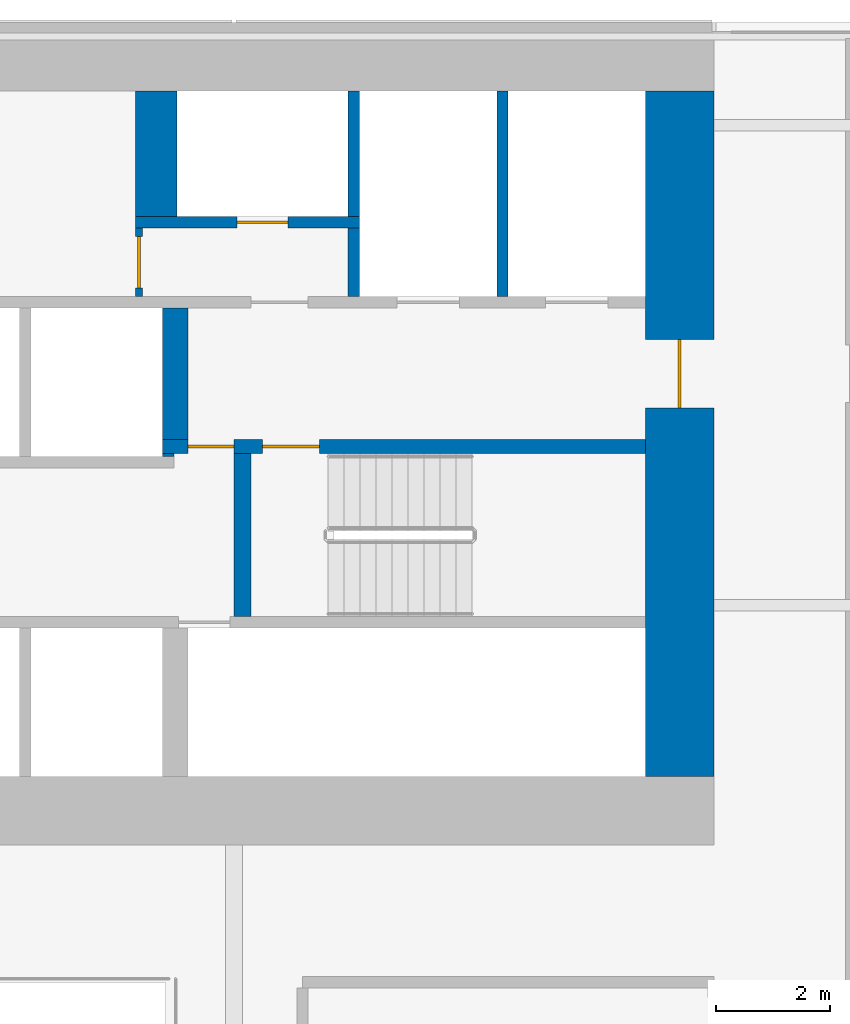
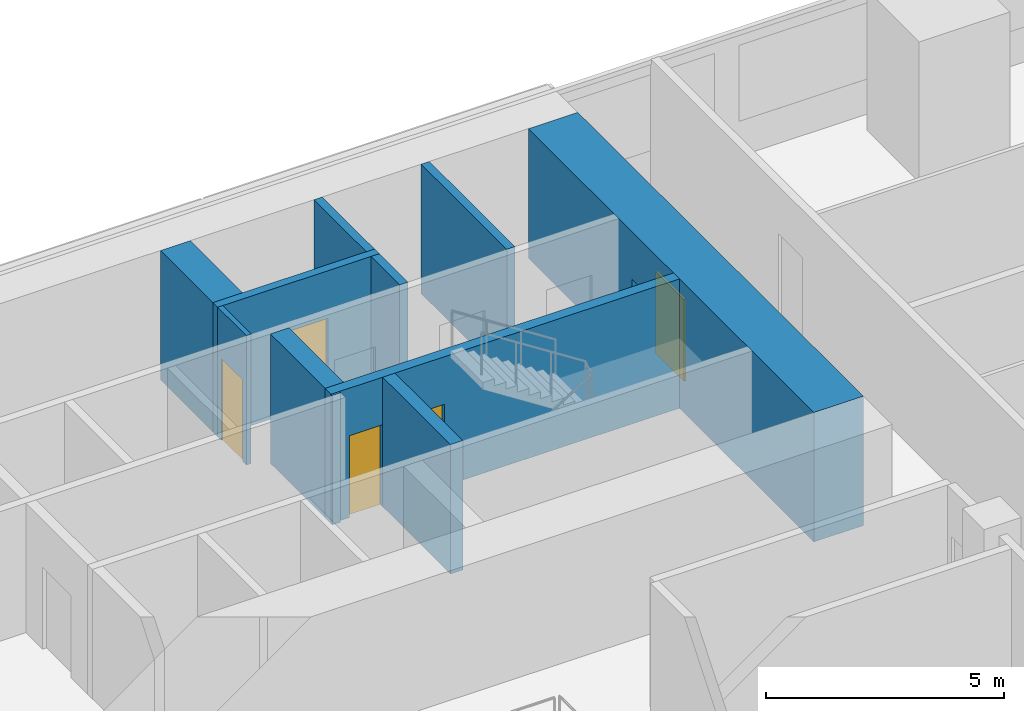
# One storey, part 20 of 25: 11 walls, 5 doors, 5 openings.
"""IFC4 building model written with IfcOpenShell, lengths in metres."""

import ifcopenshell
import ifcopenshell.guid

model = None  # the IFC model being written
_history = None  # IfcOwnerHistory: only IFC2X3 demands one
_inside = {}  # id of a spatial element -> (the spatial element, [elements in it])
_under = {}  # id of a project, library or spatial element -> (it, [spatial elements below it])
_declared = {}  # id of a project -> (the project, [libraries it declares])
_typed = {}  # id of a type object -> (the type object, [elements of that type])
_made_of = {}  # id of a material, layer set ... -> (it, [elements and type objects made of it])


def new_model(schema):
    """Start an empty IFC model of exactly this schema.

    Asked for "IFC4X3", IfcOpenShell would pick the latest addendum, in which some entities
    have other attributes; the version numbers below select the first issue.
    IFC2X3 requires an IfcOwnerHistory on every rooted entity: one is made here for all.
    """
    global model, _history
    if schema == "IFC4X3":
        model = ifcopenshell.file(schema_version=(4, 3, 0, 0))
    else:
        model = ifcopenshell.file(schema=schema)
    _inside.clear()
    _under.clear()
    _declared.clear()
    _typed.clear()
    _made_of.clear()
    _history = None
    if model.schema == "IFC2X3":
        org = make("IfcOrganization", Name="unknown")
        user = make(
            "IfcPersonAndOrganization",
            ThePerson=make("IfcPerson", FamilyName="unknown"),
            TheOrganization=org,
        )
        app = make(
            "IfcApplication",
            ApplicationDeveloper=org,
            Version="unknown",
            ApplicationFullName="unknown",
            ApplicationIdentifier="unknown",
        )
        _history = make(
            "IfcOwnerHistory",
            OwningUser=user,
            OwningApplication=app,
            ChangeAction="ADDED",
            CreationDate=0,
        )
    return model


def make(cls, **values):
    """One entity of the class cls with the attributes given. An attribute that is None is left unset."""
    return model.create_entity(
        cls, **{name: value for name, value in values.items() if value is not None}
    )


def rooted(cls, **values):
    """An entity with a GlobalId (a new one), such as an element, a storey or a relation."""
    return make(cls, GlobalId=ifcopenshell.guid.new(), OwnerHistory=_history, **values)


def si_unit(unit_type, name, prefix=None):
    """IfcSIUnit, for example si_unit("LENGTHUNIT", "METRE", prefix="MILLI")."""
    return make("IfcSIUnit", UnitType=unit_type, Prefix=prefix, Name=name)


def assignment(units):
    """IfcUnitAssignment: the units of a project."""
    return None if units is None else make("IfcUnitAssignment", Units=units)


def point(xyz):
    """IfcCartesianPoint."""
    return None if xyz is None else make("IfcCartesianPoint", Coordinates=xyz)


def direction(xyz):
    """IfcDirection."""
    return None if xyz is None else make("IfcDirection", DirectionRatios=xyz)


def frame(location, z_axis=None, x_axis=None):
    """IfcAxis2Placement3D, a coordinate frame: its origin and axes. An axis left out is left unset."""
    return make(
        "IfcAxis2Placement3D",
        Location=point(location),
        Axis=direction(z_axis),
        RefDirection=direction(x_axis),
    )


def frame_2d(location, x_axis=None):
    """IfcAxis2Placement2D, a coordinate frame in the plane: its origin and x axis."""
    return make(
        "IfcAxis2Placement2D", Location=point(location), RefDirection=direction(x_axis)
    )


def origin():
    """The frame at (0, 0, 0) with its axes left unset."""
    return frame((0.0, 0.0, 0.0))


def place(relative_to, where):
    """IfcLocalPlacement: puts the frame where relative to a parent placement (None: the world)."""
    return make(
        "IfcLocalPlacement", PlacementRelTo=relative_to, RelativePlacement=where
    )


def context(
    kind, dimensions, precision=None, world=None, true_north=None, identifier=None
):
    """IfcGeometricRepresentationContext, for example the 3D "Model" context."""
    return make(
        "IfcGeometricRepresentationContext",
        ContextIdentifier=identifier,
        ContextType=kind,
        CoordinateSpaceDimension=dimensions,
        Precision=precision,
        WorldCoordinateSystem=world,
        TrueNorth=true_north,
    )


def subcontext(parent, identifier, kind, view, scale=None):
    """IfcGeometricRepresentationSubContext, for example "Body" below "Model"."""
    return make(
        "IfcGeometricRepresentationSubContext",
        ContextIdentifier=identifier,
        ContextType=kind,
        ParentContext=parent,
        TargetScale=scale,
        TargetView=view,
    )


def project(units=None, contexts=None):
    """IfcProject with its units and contexts."""
    return rooted(
        "IfcProject",
        Name="project",
        RepresentationContexts=contexts,
        UnitsInContext=assignment(units),
    )


def spatial(cls, under=None, at=None, **own):
    """A site, building, storey or space (cls), placed at a placement, below another one or the project."""
    s = rooted(cls, ObjectPlacement=at, **own)
    if under is not None:
        _under.setdefault(under.id(), (under, []))[1].append(s)
    return s


def profile(cls, at=None, kind="AREA", **sizes):
    """A parametric profile (cls). Its sizes go by their IFC names, for example OverallWidth=200.0."""
    return make(cls, ProfileType=kind, Position=at, **sizes)


def rectangle(**sizes):
    """IfcRectangleProfileDef."""
    return profile("IfcRectangleProfileDef", **sizes)


def extrude(swept, where, along, depth):
    """IfcExtrudedAreaSolid: the profile swept, set in the frame where, extruded along a direction by depth."""
    return make(
        "IfcExtrudedAreaSolid",
        SweptArea=swept,
        Position=where,
        ExtrudedDirection=direction(along),
        Depth=depth,
    )


def shape(context_of_items, identifier, shape_type, items):
    """IfcShapeRepresentation: the items that make up one representation, for example the "Body"."""
    return make(
        "IfcShapeRepresentation",
        ContextOfItems=context_of_items,
        RepresentationIdentifier=identifier,
        RepresentationType=shape_type,
        Items=items,
    )


def material(Name=None, Category=None):
    """IfcMaterial."""
    return make("IfcMaterial", Name=Name, Category=Category)


def layer(
    of_material, thickness, ventilated=None, Name=None, Category=None, Priority=None
):
    """IfcMaterialLayer: one layer of a wall or slab, of a material (None: an air gap)."""
    return make(
        "IfcMaterialLayer",
        Material=of_material,
        LayerThickness=thickness,
        IsVentilated=ventilated,
        Name=Name,
        Category=Category,
        Priority=Priority,
    )


def layer_set(layers, Name=None):
    """IfcMaterialLayerSet."""
    return make("IfcMaterialLayerSet", MaterialLayers=layers, LayerSetName=Name)


def made_of(thing, what):
    """Note that an element or type object is made of a material, layer set ...; save() writes the relation."""
    if what is not None:
        _made_of.setdefault(what.id(), (what, []))[1].append(thing)
    return thing


def type_object(cls, material=None, **own):
    """A type object (cls), such as IfcWallType, which elements share."""
    return made_of(rooted(cls, **own), material)


def element(
    cls,
    number,
    at=None,
    inside=None,
    cuts=None,
    type_object=None,
    material=None,
    context=None,
    identifier="Body",
    shape_type=None,
    held_by="IfcProductDefinitionShape",
    body=None,
    shapes=None,
    **own,
):
    """One element of the class cls, such as IfcWall. Its Tag is "e" and its number.

    at: its placement. inside: the storey or other place that contains it. cuts: it is an
    opening in that element (IfcRelVoidsElement). A single representation is given by context,
    identifier, shape_type and body (its items); several are given by shapes. held_by: the class
    of the entity that holds the representations. save() writes the other relations.
    """
    e = rooted(cls, Tag="e%d" % number, ObjectPlacement=at, **own)
    if body is not None:
        shapes = [shape(context, identifier, shape_type, body)]
    if shapes is not None:
        e.Representation = make(held_by, Representations=shapes)
    if inside is not None:
        _inside.setdefault(inside.id(), (inside, []))[1].append(e)
    if cuts is not None:
        rooted(
            "IfcRelVoidsElement", RelatingBuildingElement=cuts, RelatedOpeningElement=e
        )
    if type_object is not None:
        _typed.setdefault(type_object.id(), (type_object, []))[1].append(e)
    return made_of(e, material)


def fill(opening, filler):
    """IfcRelFillsElement: the door or window that sits in an opening."""
    return rooted(
        "IfcRelFillsElement",
        RelatingOpeningElement=opening,
        RelatedBuildingElement=filler,
    )


def aggregate(whole, parts):
    """IfcRelAggregates: a whole, such as a stair, and the parts it consists of."""
    return rooted("IfcRelAggregates", RelatingObject=whole, RelatedObjects=parts)


def save(model, path):
    """Write the relations noted so far, then the file.

    IfcRelAggregates (storeys below a building ...), IfcRelContainedInSpatialStructure (elements
    in a storey), IfcRelDefinesByType, IfcRelAssociatesMaterial and IfcRelDeclares: one each for
    every whole, place, type object, material and project.
    """
    for whole, parts in _under.values():
        aggregate(whole, parts)
    for where, things in _inside.values():
        rooted(
            "IfcRelContainedInSpatialStructure",
            RelatedElements=things,
            RelatingStructure=where,
        )
    for kind, things in _typed.values():
        rooted("IfcRelDefinesByType", RelatedObjects=things, RelatingType=kind)
    for what, things in _made_of.values():
        rooted("IfcRelAssociatesMaterial", RelatedObjects=things, RelatingMaterial=what)
    for by, libraries in _declared.values():
        rooted("IfcRelDeclares", RelatingContext=by, RelatedDefinitions=libraries)
    model.write(path)


model = new_model("IFC4")

# Units and contexts
model_context = context("Model", 3, precision=1e-05, world=origin(), true_north=direction((0.0, 1.0)))
body_context = subcontext(model_context, "Body", "Model", "MODEL_VIEW")
ifc_project = project(units=[si_unit("LENGTHUNIT", "METRE"), si_unit("AREAUNIT", "SQUARE_METRE"), si_unit("VOLUMEUNIT", "CUBIC_METRE"), si_unit("PLANEANGLEUNIT", "RADIAN"), si_unit("MASSUNIT", "GRAM", prefix="KILO")], contexts=[model_context])

# Site, building, storey
site_placement = place(None, origin())
site = spatial("IfcSite", under=ifc_project, at=site_placement, CompositionType="ELEMENT")
building_placement = place(site_placement, origin())
building = spatial("IfcBuilding", under=site, at=building_placement, Name="Saffron Gate Tower", CompositionType="ELEMENT")
storey_placement = place(building_placement, frame((0.0, 0.0, 73.199951171875)))
storey = spatial("IfcBuildingStorey", under=building, at=storey_placement, Name="L17", CompositionType="ELEMENT", Elevation=73.199951171875)

# Wall, opening, door
ifc_material_1 = material(Name="Concrete C70", Category="concrete")
ifc_layer_1 = layer(ifc_material_1, 1.199951171875)
ifc_layer_set_1 = layer_set([ifc_layer_1], Name="CW1 RC core wall 1200 C70")
wall_type_1 = type_object("IfcWallType", Name="CW1 RC core wall 1200 C70", PredefinedType="SOLIDWALL", material=ifc_layer_set_1)
wall_1_placement = place(storey_placement, frame((108.0, 62.39990234375, 0.0), z_axis=(0.0, 0.0, 1.0), x_axis=(0.0, 1.0, 0.0)))
wall_1 = element("IfcWall", 1, at=wall_1_placement, inside=storey, type_object=wall_type_1, Name="Wall CW1-L17-4", PredefinedType="SOLIDWALL", context=body_context, shape_type="SweptSolid", body=[
    extrude(rectangle(XDim=12.0, YDim=1.199951171875, at=frame_2d((6.0, 0.0))), origin(), (0.0, 0.0, 1.0), 3.320068359375),
])
opening_1_placement = place(wall_1_placement, frame((6.449951171875, 0.0, 0.0)))
opening_1 = element("IfcOpeningElement", 2, at=opening_1_placement, cuts=wall_1, Name="Opening CR-08", PredefinedType="OPENING", context=body_context, shape_type="SweptSolid", body=[
    extrude(rectangle(XDim=1.199951171875, YDim=2.10009765625, at=frame_2d((0.60009765625, 1.050048828125))), frame((0.0, 0.60986328125, 0.0), z_axis=(0.0, -1.0, 0.0), x_axis=(1.0, 0.0, 0.0)), (0.0, 0.0, 1.0), 1.219970703125),
])
ifc_material_2 = material(Name="Steel fire door set", Category="steel")
door_type_1 = type_object("IfcDoorType", Name="CD7 Core entrance door 1200x2100 EI 120", OperationType="NOTDEFINED", PredefinedType="DOOR", material=ifc_material_2)
door_1_placement = place(opening_1_placement, origin())
door_1 = element("IfcDoor", 3, at=door_1_placement, inside=storey, type_object=door_type_1, Name="DOOR CR-08", OperationType="SINGLE_SWING_RIGHT", OverallHeight=2.10009765625, OverallWidth=1.199951171875, PredefinedType="DOOR", context=body_context, shape_type="SweptSolid", body=[
    extrude(rectangle(XDim=1.199951171875, YDim=2.10009765625, at=frame_2d((0.60009765625, 1.050048828125))), frame((0.0, 0.02490234375, 0.0), z_axis=(0.0, -1.0, 0.0), x_axis=(1.0, 0.0, 0.0)), (0.0, 0.0, 1.0), 0.050048828125),
])
fill(opening_1, door_1)

# Wall
ifc_layer_2 = layer(ifc_material_1, 0.719970703125)
ifc_layer_set_2 = layer_set([ifc_layer_2], Name="CW11 RC core wall 720 C70")
wall_type_2 = type_object("IfcWallType", Name="CW11 RC core wall 720 C70", PredefinedType="SOLIDWALL", material=ifc_layer_set_2)
wall_2_placement = place(storey_placement, frame((98.840087890625, 72.199951171875, 0.0), z_axis=(0.0, 0.0, 1.0), x_axis=(0.0, 1.0, 0.0)))
element("IfcWall", 4, at=wall_2_placement, inside=storey, type_object=wall_type_2, Name="Wall CW11-L17-48", PredefinedType="SOLIDWALL", context=body_context, shape_type="SweptSolid", body=[
    extrude(rectangle(XDim=2.199951171875, YDim=0.719970703125, at=frame_2d((1.10009765625, 0.0))), origin(), (0.0, 0.0, 1.0), 3.320068359375),
])

# Wall, openings, doors
ifc_layer_3 = layer(ifc_material_1, 0.25)
ifc_layer_set_3 = layer_set([ifc_layer_3], Name="CW2 RC core wall 250 C70")
wall_type_3 = type_object("IfcWallType", Name="CW2 RC core wall 250 C70", PredefinedType="SOLIDWALL", material=ifc_layer_set_3)
wall_3_placement = place(storey_placement, frame((98.949951171875, 68.175048828125, 0.0), z_axis=(0.0, 0.0, 1.0), x_axis=(1.0, 0.0, 0.0)))
wall_3 = element("IfcWall", 5, at=wall_3_placement, inside=storey, type_object=wall_type_3, Name="Wall CW2-L17-31", PredefinedType="SOLIDWALL", context=body_context, shape_type="SweptSolid", body=[
    extrude(rectangle(XDim=8.449951171875, YDim=0.25, at=frame_2d((4.22509765625, 0.0))), origin(), (0.0, 0.0, 1.0), 3.320068359375),
])
opening_2_placement = place(wall_3_placement, frame((0.449951171875, 0.0, 0.0)))
opening_2 = element("IfcOpeningElement", 6, at=opening_2_placement, cuts=wall_3, Name="Opening CR-05", PredefinedType="OPENING", context=body_context, shape_type="SweptSolid", body=[
    extrude(rectangle(XDim=0.800048828125, YDim=2.10009765625, at=frame_2d((0.39990234375, 1.050048828125))), frame((0.0, 0.135009765625, 0.0), z_axis=(0.0, -1.0, 0.0), x_axis=(1.0, 0.0, 0.0)), (0.0, 0.0, 1.0), 0.27001953125),
])
opening_3_placement = place(wall_3_placement, frame((1.75, 0.0, 0.0)))
opening_3 = element("IfcOpeningElement", 7, at=opening_3_placement, cuts=wall_3, Name="Opening CR-16", PredefinedType="OPENING", context=body_context, shape_type="SweptSolid", body=[
    extrude(rectangle(XDim=1.0, YDim=2.10009765625, at=frame_2d((0.5, 1.050048828125))), frame((0.0, 0.135009765625, 0.0), z_axis=(0.0, -1.0, 0.0), x_axis=(1.0, 0.0, 0.0)), (0.0, 0.0, 1.0), 0.27001953125),
])
door_type_2 = type_object("IfcDoorType", Name="CD5 Stair door 1000x2100 EI 120", OperationType="NOTDEFINED", PredefinedType="DOOR", material=ifc_material_2)
door_2_placement = place(opening_3_placement, origin())
door_2 = element("IfcDoor", 8, at=door_2_placement, inside=storey, type_object=door_type_2, Name="DOOR CR-16", OperationType="SINGLE_SWING_RIGHT", OverallHeight=2.10009765625, OverallWidth=1.0, PredefinedType="DOOR", context=body_context, shape_type="SweptSolid", body=[
    extrude(rectangle(XDim=1.0, YDim=2.10009765625, at=frame_2d((0.5, 1.050048828125))), frame((0.0, 0.02490234375, 0.0), z_axis=(0.0, -1.0, 0.0), x_axis=(1.0, 0.0, 0.0)), (0.0, 0.0, 1.0), 0.050048828125),
])
fill(opening_3, door_2)
door_type_3 = type_object("IfcDoorType", Name="CD6 Lobby door 800x2100 EI 120", OperationType="NOTDEFINED", PredefinedType="DOOR", material=ifc_material_2)
door_3_placement = place(opening_2_placement, origin())
door_3 = element("IfcDoor", 9, at=door_3_placement, inside=storey, type_object=door_type_3, Name="DOOR CR-05", OperationType="SINGLE_SWING_LEFT", OverallHeight=2.10009765625, OverallWidth=0.800048828125, PredefinedType="DOOR", context=body_context, shape_type="SweptSolid", body=[
    extrude(rectangle(XDim=0.800048828125, YDim=2.10009765625, at=frame_2d((0.39990234375, 1.050048828125))), frame((0.0, 0.02490234375, 0.0), z_axis=(0.0, -1.0, 0.0), x_axis=(1.0, 0.0, 0.0)), (0.0, 0.0, 1.0), 0.050048828125),
])
fill(opening_2, door_3)

# Walls
ifc_layer_4 = layer(ifc_material_1, 0.199951171875)
ifc_layer_set_4 = layer_set([ifc_layer_4], Name="CW3 RC core wall 200 C70")
wall_type_4 = type_object("IfcWallType", Name="CW3 RC core wall 200 C70", PredefinedType="SOLIDWALL", material=ifc_layer_set_4)
wall_4_placement = place(storey_placement, frame((102.300048828125, 70.800048828125, 0.0), z_axis=(0.0, 0.0, 1.0), x_axis=(0.0, 1.0, 0.0)))
element("IfcWall", 10, at=wall_4_placement, inside=storey, type_object=wall_type_4, Name="Wall CW3-L17-41", PredefinedType="SOLIDWALL", context=body_context, shape_type="SweptSolid", body=[
    extrude(rectangle(XDim=1.199951171875, YDim=0.199951171875, at=frame_2d((0.60009765625, 0.0))), origin(), (0.0, 0.0, 1.0), 3.320068359375),
])
wall_5_placement = place(storey_placement, frame((104.89990234375, 70.800048828125, 0.0), z_axis=(0.0, 0.0, 1.0), x_axis=(0.0, 1.0, 0.0)))
element("IfcWall", 11, at=wall_5_placement, inside=storey, type_object=wall_type_4, Name="Wall CW3-L17-42", PredefinedType="SOLIDWALL", context=body_context, shape_type="SweptSolid", body=[
    extrude(rectangle(XDim=3.599853515625, YDim=0.199951171875, at=frame_2d((1.7998046875, 0.0))), origin(), (0.0, 0.0, 1.0), 3.320068359375),
])

# Wall, opening, door
wall_6_placement = place(storey_placement, frame((98.47998046875, 72.10009765625, 0.0), z_axis=(0.0, 0.0, 1.0), x_axis=(1.0, 0.0, 0.0)))
wall_6 = element("IfcWall", 12, at=wall_6_placement, inside=storey, type_object=wall_type_4, Name="Wall CW3-L17-44", PredefinedType="SOLIDWALL", context=body_context, shape_type="SweptSolid", body=[
    extrude(rectangle(XDim=3.919921875, YDim=0.199951171875, at=frame_2d((1.9599609375, 0.0))), origin(), (0.0, 0.0, 1.0), 3.320068359375),
])
opening_4_placement = place(wall_6_placement, frame((1.77001953125, 0.0, 0.0)))
opening_4 = element("IfcOpeningElement", 13, at=opening_4_placement, cuts=wall_6, Name="Opening CR-70", PredefinedType="OPENING", context=body_context, shape_type="SweptSolid", body=[
    extrude(rectangle(XDim=0.89990234375, YDim=2.10009765625, at=frame_2d((0.449951171875, 1.050048828125))), frame((0.0, 0.10986328125, 0.0), z_axis=(0.0, -1.0, 0.0), x_axis=(1.0, 0.0, 0.0)), (0.0, 0.0, 1.0), 0.219970703125),
])
door_type_4 = type_object("IfcDoorType", Name="CD2 Riser door 900x2100 EI 60", OperationType="NOTDEFINED", PredefinedType="DOOR", material=ifc_material_2)
door_4_placement = place(opening_4_placement, origin())
door_4 = element("IfcDoor", 14, at=door_4_placement, inside=storey, type_object=door_type_4, Name="DOOR CR-70", OperationType="SINGLE_SWING_LEFT", OverallHeight=2.10009765625, OverallWidth=0.89990234375, PredefinedType="DOOR", context=body_context, shape_type="SweptSolid", body=[
    extrude(rectangle(XDim=0.89990234375, YDim=2.10009765625, at=frame_2d((0.449951171875, 1.050048828125))), frame((0.0, 0.02490234375, 0.0), z_axis=(0.0, -1.0, 0.0), x_axis=(1.0, 0.0, 0.0)), (0.0, 0.0, 1.0), 0.050048828125),
])
fill(opening_4, door_4)

# Walls
wall_7_placement = place(storey_placement, frame((102.300048828125, 72.199951171875, 0.0), z_axis=(0.0, 0.0, 1.0), x_axis=(0.0, 1.0, 0.0)))
element("IfcWall", 15, at=wall_7_placement, inside=storey, type_object=wall_type_4, Name="Wall CW3-L17-49", PredefinedType="SOLIDWALL", context=body_context, shape_type="SweptSolid", body=[
    extrude(rectangle(XDim=2.199951171875, YDim=0.199951171875, at=frame_2d((1.10009765625, 0.0))), origin(), (0.0, 0.0, 1.0), 3.320068359375),
])
ifc_layer_5 = layer(ifc_material_1, 0.449951171875)
ifc_layer_set_5 = layer_set([ifc_layer_5], Name="CW4 RC core wall 450 C70")
wall_type_5 = type_object("IfcWallType", Name="CW4 RC core wall 450 C70", PredefinedType="SOLIDWALL", material=ifc_layer_set_5)
wall_8_placement = place(storey_placement, frame((99.175048828125, 68.300048828125, 0.0), z_axis=(0.0, 0.0, 1.0), x_axis=(0.0, 1.0, 0.0)))
element("IfcWall", 16, at=wall_8_placement, inside=storey, type_object=wall_type_5, Name="Wall CW4-L17-33", PredefinedType="SOLIDWALL", context=body_context, shape_type="SweptSolid", body=[
    extrude(rectangle(XDim=2.300048828125, YDim=0.449951171875, at=frame_2d((1.14990234375, 0.0))), origin(), (0.0, 0.0, 1.0), 3.320068359375),
])
ifc_layer_6 = layer(ifc_material_1, 0.300048828125)
ifc_layer_set_6 = layer_set([ifc_layer_6], Name="CW5 RC core wall 300 C70")
wall_type_6 = type_object("IfcWallType", Name="CW5 RC core wall 300 C70", PredefinedType="SOLIDWALL", material=ifc_layer_set_6)
wall_9_placement = place(storey_placement, frame((100.35009765625, 65.199951171875, 0.0), z_axis=(0.0, 0.0, 1.0), x_axis=(0.0, 1.0, 0.0)))
element("IfcWall", 17, at=wall_9_placement, inside=storey, type_object=wall_type_6, Name="Wall CW5-L17-19", PredefinedType="SOLIDWALL", context=body_context, shape_type="SweptSolid", body=[
    extrude(rectangle(XDim=2.85009765625, YDim=0.300048828125, at=frame_2d((1.425048828125, 0.0))), origin(), (0.0, 0.0, 1.0), 3.320068359375),
])
ifc_layer_7 = layer(ifc_material_1, 0.050048828125)
ifc_layer_set_7 = layer_set([ifc_layer_7], Name="CW6 RC core wall 50 C70")
wall_type_7 = type_object("IfcWallType", Name="CW6 RC core wall 50 C70", PredefinedType="SOLIDWALL", material=ifc_layer_set_7)
wall_10_placement = place(storey_placement, frame((98.949951171875, 68.02490234375, 0.0), z_axis=(0.0, 0.0, 1.0), x_axis=(1.0, 0.0, 0.0)))
element("IfcWall", 18, at=wall_10_placement, inside=storey, type_object=wall_type_7, Name="Wall CW6-L17-29", PredefinedType="SOLIDWALL", context=body_context, shape_type="SweptSolid", body=[
    extrude(rectangle(XDim=0.199951171875, YDim=0.050048828125, at=frame_2d((0.10009765625, 0.0))), origin(), (0.0, 0.0, 1.0), 3.320068359375),
])

# Wall, opening, door
ifc_material_3 = material(Name="Gypsum board partition on steel studs", Category="steel")
ifc_layer_8 = layer(ifc_material_3, 0.1201171875)
ifc_layer_set_8 = layer_set([ifc_layer_8], Name="CW8 Core partition 120")
wall_type_8 = type_object("IfcWallType", Name="CW8 Core partition 120", PredefinedType="PARTITIONING", material=ifc_layer_set_8)
wall_11_placement = place(storey_placement, frame((98.5400390625, 70.800048828125, 0.0), z_axis=(0.0, 0.0, 1.0), x_axis=(0.0, 1.0, 0.0)))
wall_11 = element("IfcWall", 19, at=wall_11_placement, inside=storey, type_object=wall_type_8, Name="Wall CW8-L17-40", PredefinedType="PARTITIONING", context=body_context, shape_type="SweptSolid", body=[
    extrude(rectangle(XDim=1.199951171875, YDim=0.1201171875, at=frame_2d((0.60009765625, 0.0))), origin(), (0.0, 0.0, 1.0), 3.320068359375),
])
opening_5_placement = place(wall_11_placement, frame((0.14990234375, 0.0, 0.0)))
opening_5 = element("IfcOpeningElement", 20, at=opening_5_placement, cuts=wall_11, Name="Opening CR-54", PredefinedType="OPENING", context=body_context, shape_type="SweptSolid", body=[
    extrude(rectangle(XDim=0.89990234375, YDim=2.10009765625, at=frame_2d((0.449951171875, 1.050048828125))), frame((0.0, 0.070068359375, 0.0), z_axis=(0.0, -1.0, 0.0), x_axis=(1.0, 0.0, 0.0)), (0.0, 0.0, 1.0), 0.14013671875),
])
door_type_5 = type_object("IfcDoorType", Name="CD9 Room door 900x2100 EI 60", OperationType="NOTDEFINED", PredefinedType="DOOR", material=ifc_material_2)
door_5_placement = place(opening_5_placement, origin())
door_5 = element("IfcDoor", 21, at=door_5_placement, inside=storey, type_object=door_type_5, Name="DOOR CR-54", OperationType="SINGLE_SWING_LEFT", OverallHeight=2.10009765625, OverallWidth=0.89990234375, PredefinedType="DOOR", context=body_context, shape_type="SweptSolid", body=[
    extrude(rectangle(XDim=0.89990234375, YDim=2.10009765625, at=frame_2d((0.449951171875, 1.050048828125))), frame((0.0, 0.02490234375, 0.0), z_axis=(0.0, -1.0, 0.0), x_axis=(1.0, 0.0, 0.0)), (0.0, 0.0, 1.0), 0.050048828125),
])
fill(opening_5, door_5)

save(model, "model.ifc")
